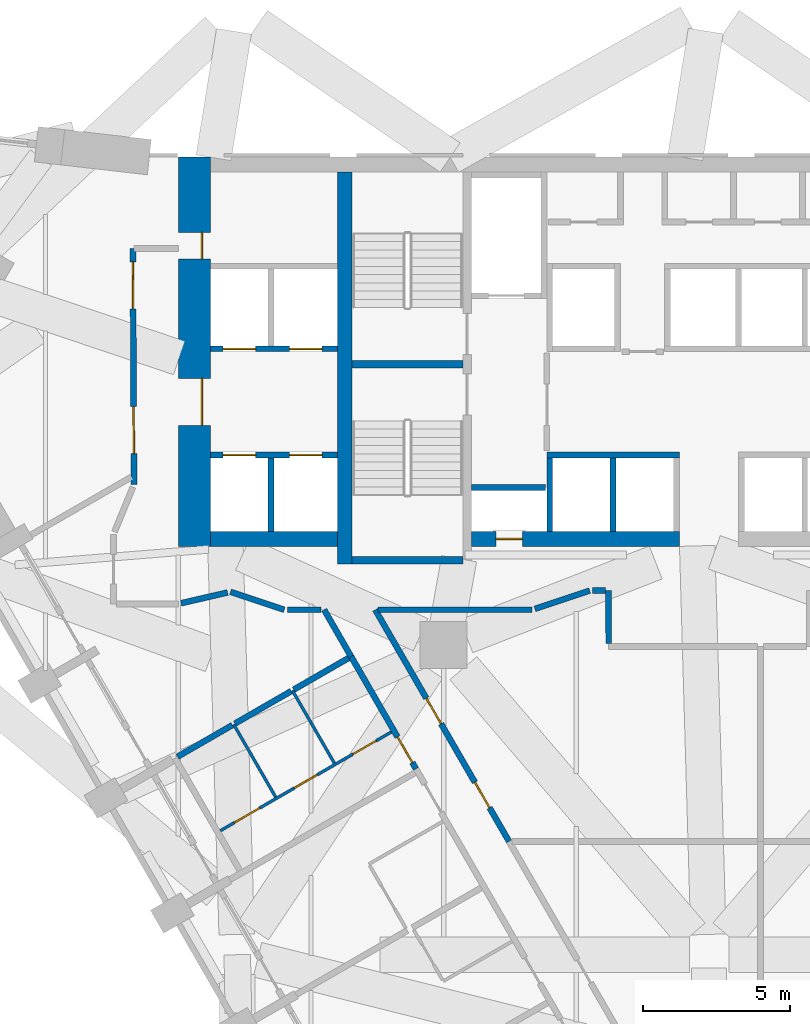
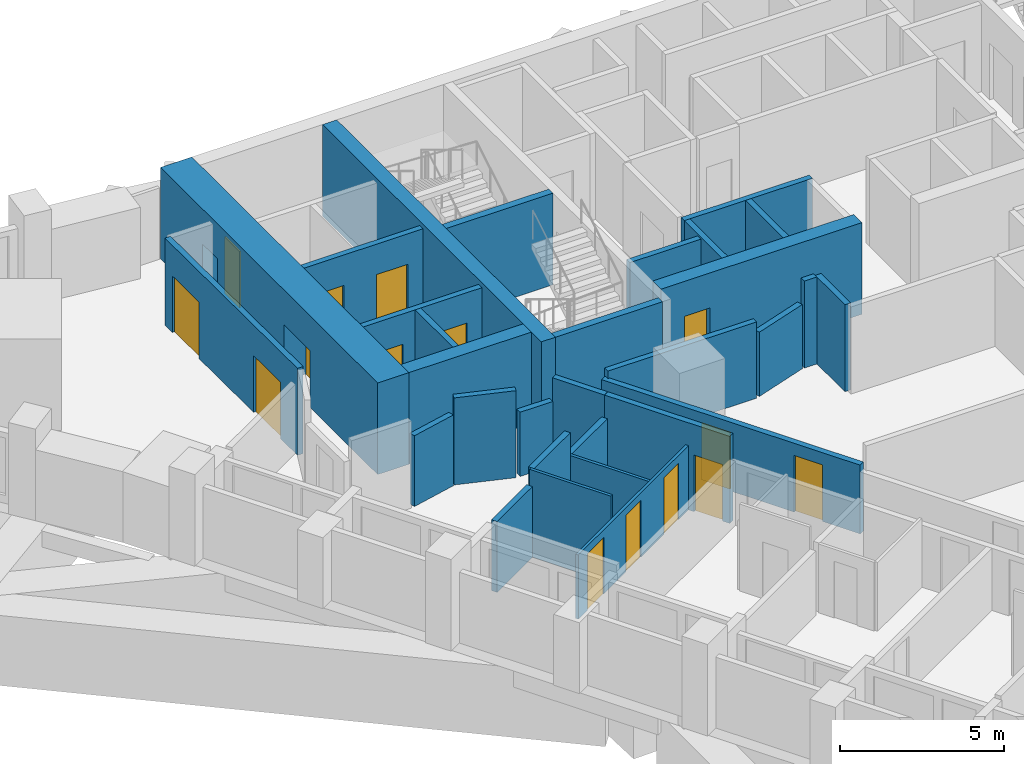
# One storey, part 7 of 12: 30 walls, 15 doors, 15 openings.
"""IFC4 building model written with IfcOpenShell, lengths in metres."""

from ifc_helpers import new_model, si_unit, direction, frame, frame_2d, origin, place, context, subcontext, project, spatial, rectangle, extrude, material, layer, layer_set, type_object, element, fill, save


model = new_model("IFC4")

# Units and contexts
model_context = context("Model", 3, precision=1e-05, world=origin(), true_north=direction((0.0, 1.0)))
body_context = subcontext(model_context, "Body", "Model", "MODEL_VIEW")
ifc_project = project(units=[si_unit("LENGTHUNIT", "METRE"), si_unit("AREAUNIT", "SQUARE_METRE"), si_unit("VOLUMEUNIT", "CUBIC_METRE"), si_unit("PLANEANGLEUNIT", "RADIAN"), si_unit("MASSUNIT", "GRAM", prefix="KILO")], contexts=[model_context])

# Site, building, storey
site_placement = place(None, origin())
site = spatial("IfcSite", under=ifc_project, at=site_placement, CompositionType="ELEMENT")
building_placement = place(site_placement, origin())
building = spatial("IfcBuilding", under=site, at=building_placement, Name="Calabash Gate Tower", CompositionType="ELEMENT")
storey_placement = place(building_placement, frame((0.0, 0.0, 46.0)))
storey = spatial("IfcBuildingStorey", under=building, at=storey_placement, Name="L06", CompositionType="ELEMENT", Elevation=46.0)

# Wall, openings, doors
ifc_material_1 = material(Name="Concrete C80/95", Category="concrete")
ifc_layer_1 = layer(ifc_material_1, 1.10009765625)
ifc_layer_set_1 = layer_set([ifc_layer_1], Name="Core wall 1100 Concrete C80/95")
wall_type_1 = type_object("IfcWallType", Name="Core wall 1100 Concrete C80/95", PredefinedType="SHEAR", material=ifc_layer_set_1)
wall_1_placement = place(storey_placement, frame((-17.449951171875, 5.8525390625, 0.0), z_axis=(0.0, 0.0, 1.0), x_axis=(0.0, 1.0, 0.0)))
wall_1 = element("IfcWall", 1, at=wall_1_placement, inside=storey, type_object=wall_type_1, Name="Core wall Z1-ENDW L06", PredefinedType="SHEAR", context=body_context, shape_type="SweptSolid", body=[
    extrude(rectangle(XDim=13.199951171875, YDim=1.10009765625, at=frame_2d((6.60009765625, 0.0))), origin(), (0.0, 0.0, 1.0), 3.39990234375),
])
opening_1_placement = place(wall_1_placement, frame((4.10009765625, 0.0, 0.0)))
opening_1 = element("IfcOpeningElement", 2, at=opening_1_placement, cuts=wall_1, Name="Opening H1-003", PredefinedType="OPENING", context=body_context, shape_type="SweptSolid", body=[
    extrude(rectangle(XDim=1.60009765625, YDim=2.10009765625, at=frame_2d((0.800048828125, 1.050048828125))), frame((0.0, 0.56005859375, 0.0), z_axis=(0.0, -1.0, 0.0), x_axis=(1.0, 0.0, 0.0)), (0.0, 0.0, 1.0), 1.1201171875),
])
opening_2_placement = place(wall_1_placement, frame((9.75, 0.0, 0.0)))
opening_2 = element("IfcOpeningElement", 3, at=opening_2_placement, cuts=wall_1, Name="Opening H1-004", PredefinedType="OPENING", context=body_context, shape_type="SweptSolid", body=[
    extrude(rectangle(XDim=0.89990234375, YDim=2.10009765625, at=frame_2d((0.449951171875, 1.050048828125))), frame((0.0, 0.56005859375, 0.0), z_axis=(0.0, -1.0, 0.0), x_axis=(1.0, 0.0, 0.0)), (0.0, 0.0, 1.0), 1.1201171875),
])
ifc_material_2 = material(Name="Steel fire door set with fire-resisting glazing", Category="steel")
door_type_1 = type_object("IfcDoorType", Name="Double fire door D08 1600x2100 FD60", OperationType="DOUBLE_DOOR_SINGLE_SWING", PredefinedType="DOOR", material=ifc_material_2)
door_1_placement = place(opening_1_placement, origin())
door_1 = element("IfcDoor", 4, at=door_1_placement, inside=storey, type_object=door_type_1, Name="Low-rise Lift Lobby W door", OperationType="DOUBLE_DOOR_SINGLE_SWING", OverallHeight=2.10009765625, OverallWidth=1.60009765625, PredefinedType="DOOR", context=body_context, shape_type="SweptSolid", body=[
    extrude(rectangle(XDim=1.60009765625, YDim=2.10009765625, at=frame_2d((0.800048828125, 1.050048828125))), frame((0.0, -0.22509765625, 0.0), z_axis=(0.0, -1.0, 0.0), x_axis=(1.0, 0.0, 0.0)), (0.0, 0.0, 1.0), 0.050048828125),
])
fill(opening_1, door_1)
ifc_material_3 = material(Name="Steel fire door set with fire-resisting glazing", Category="steel")
door_type_2 = type_object("IfcDoorType", Name="Fire door D06 900x2100 FD60", OperationType="NOTDEFINED", PredefinedType="DOOR", material=ifc_material_3)
door_2_placement = place(opening_2_placement, origin())
door_2 = element("IfcDoor", 5, at=door_2_placement, inside=storey, type_object=door_type_2, Name="Cleaner's Store door", OperationType="SINGLE_SWING_RIGHT", OverallHeight=2.10009765625, OverallWidth=0.89990234375, PredefinedType="DOOR", context=body_context, shape_type="SweptSolid", body=[
    extrude(rectangle(XDim=0.89990234375, YDim=2.10009765625, at=frame_2d((0.449951171875, 1.050048828125))), frame((0.0, -0.22509765625, 0.0), z_axis=(0.0, -1.0, 0.0), x_axis=(1.0, 0.0, 0.0)), (0.0, 0.0, 1.0), 0.050048828125),
])
fill(opening_2, door_2)

# Walls
ifc_material_4 = material(Name="Concrete C80/95", Category="concrete")
ifc_layer_2 = layer(ifc_material_4, 0.25)
ifc_layer_set_2 = layer_set([ifc_layer_2], Name="Core wall 250 Concrete C80/95")
wall_type_2 = type_object("IfcWallType", Name="Core wall 250 Concrete C80/95", PredefinedType="SHEAR", material=ifc_layer_set_2)
for number, where, z_axis, x_axis, name in (
    (6, (-12.10009765625, 12.027587890625, 0.0), (0.0, 0.0, 1.0), (1.0, 0.0, 0.0), "Core wall Z1-MIDW L06"),
    (7, (-12.10009765625, 5.377685546875, 0.0), (0.0, 0.0, 1.0), (1.0, 0.0, 0.0), "Core wall Z1-SSW L06"),
):
    element("IfcWall", number, at=place(storey_placement, frame(where, z_axis=z_axis, x_axis=x_axis)), inside=storey, type_object=wall_type_2, Name=name, PredefinedType="SHEAR", context=body_context, shape_type="SweptSolid", body=[
        extrude(rectangle(XDim=3.75, YDim=0.25, at=frame_2d((1.875, 0.0))), origin(), (0.0, 0.0, 1.0), 3.39990234375),
    ])
ifc_material_5 = material(Name="Concrete C80/95", Category="concrete")
ifc_layer_3 = layer(ifc_material_5, 0.5)
ifc_layer_set_3 = layer_set([ifc_layer_3], Name="Core wall 500 Concrete C80/95")
wall_type_3 = type_object("IfcWallType", Name="Core wall 500 Concrete C80/95", PredefinedType="SHEAR", material=ifc_layer_set_3)
wall_2_placement = place(storey_placement, frame((-12.35009765625, 5.252685546875, 0.0), z_axis=(0.0, 0.0, 1.0), x_axis=(0.0, 1.0, 0.0)))
element("IfcWall", 8, at=wall_2_placement, inside=storey, type_object=wall_type_3, Name="Core wall Z1-COLW L06", PredefinedType="SHEAR", context=body_context, shape_type="SweptSolid", body=[
    extrude(rectangle(XDim=13.2998046875, YDim=0.5, at=frame_2d((6.64990234375, 0.0))), origin(), (0.0, 0.0, 1.0), 3.39990234375),
])

# Wall, opening, door
wall_3_placement = place(storey_placement, frame((-8.050048828125, 6.1025390625, 0.0), z_axis=(0.0, 0.0, 1.0), x_axis=(1.0, 0.0, 0.0)))
wall_3 = element("IfcWall", 9, at=wall_3_placement, inside=storey, type_object=wall_type_3, Name="Core wall Z1-SA L06", PredefinedType="SHEAR", context=body_context, shape_type="SweptSolid", body=[
    extrude(rectangle(XDim=7.050048828125, YDim=0.5, at=frame_2d((3.52490234375, 0.0))), origin(), (0.0, 0.0, 1.0), 3.39990234375),
])
opening_3_placement = place(wall_3_placement, frame((0.824951171875, 0.0, 0.0)))
opening_3 = element("IfcOpeningElement", 10, at=opening_3_placement, cuts=wall_3, Name="Opening H1-013", PredefinedType="OPENING", context=body_context, shape_type="SweptSolid", body=[
    extrude(rectangle(XDim=0.89990234375, YDim=2.10009765625, at=frame_2d((0.449951171875, 1.050048828125))), frame((0.0, 0.260009765625, 0.0), z_axis=(0.0, -1.0, 0.0), x_axis=(1.0, 0.0, 0.0)), (0.0, 0.0, 1.0), 0.52001953125),
])
ifc_material_6 = material(Name="Steel fire door set with fire-resisting glazing", Category="steel")
door_type_3 = type_object("IfcDoorType", Name="Fire door D07 900x2100 FD90", OperationType="NOTDEFINED", PredefinedType="DOOR", material=ifc_material_6)
door_3_placement = place(opening_3_placement, origin())
door_3 = element("IfcDoor", 11, at=door_3_placement, inside=storey, type_object=door_type_3, Name="Electrical Riser W door", OperationType="SINGLE_SWING_LEFT", OverallHeight=2.10009765625, OverallWidth=0.89990234375, PredefinedType="DOOR", context=body_context, shape_type="SweptSolid", body=[
    extrude(rectangle(XDim=0.89990234375, YDim=2.10009765625, at=frame_2d((0.449951171875, 1.050048828125))), frame((0.0, 0.02490234375, 0.0), z_axis=(0.0, -1.0, 0.0), x_axis=(1.0, 0.0, 0.0)), (0.0, 0.0, 1.0), 0.050048828125),
])
fill(opening_3, door_3)

# Wall
wall_4_placement = place(storey_placement, frame((-12.60009765625, 6.1025390625, 0.0), z_axis=(0.0, 0.0, 1.0), x_axis=(-1.0, 0.0, 0.0)))
element("IfcWall", 12, at=wall_4_placement, inside=storey, type_object=wall_type_3, Name="Core wall Z1-SW L06", PredefinedType="SHEAR", context=body_context, shape_type="SweptSolid", body=[
    extrude(rectangle(XDim=4.2998046875, YDim=0.5, at=frame_2d((2.14990234375, 0.0))), origin(), (0.0, 0.0, 1.0), 3.39990234375),
])

# Wall, openings, doors
ifc_material_7 = material(Name="Gypsum board on steel studs, mineral wool", Category="steel")
ifc_layer_4 = layer(ifc_material_7, 0.10009765625)
ifc_layer_set_4 = layer_set([ifc_layer_4], Name="Partition 100 gypsum board")
wall_type_4 = type_object("IfcWallType", Name="Partition 100 gypsum board", PredefinedType="PARTITIONING", material=ifc_layer_set_4)
wall_5_placement = place(storey_placement, frame((-16.57373046875, -3.79541015625, 0.0), z_axis=(0.0, 0.0, 1.0), x_axis=(0.866015588977, 0.500016999361, 0.0)))
wall_5 = element("IfcWall", 13, at=wall_5_placement, inside=storey, type_object=wall_type_4, Name="Partition", PredefinedType="PARTITIONING", context=body_context, shape_type="SweptSolid", body=[
    extrude(rectangle(XDim=6.696533203125, YDim=0.10009765625, at=frame_2d((3.34814453125, 0.0))), origin(), (0.0, 0.0, 1.0), 2.384033203125),
])
opening_4_placement = place(wall_5_placement, frame((5.1982421875, 0.0, 0.0)))
opening_4 = element("IfcOpeningElement", 14, at=opening_4_placement, cuts=wall_5, Name="Opening 06-08-021", PredefinedType="OPENING", context=body_context, shape_type="SweptSolid", body=[
    extrude(rectangle(XDim=0.89990234375, YDim=2.10009765625, at=frame_2d((0.449951171875, 1.050048828125))), frame((0.0, 0.06005859375, 0.0), z_axis=(0.0, -1.0, 0.0), x_axis=(1.0, 0.0, 0.0)), (0.0, 0.0, 1.0), 0.1201171875),
])
opening_5_placement = place(wall_5_placement, frame((2.898193359375, 0.0, 0.0)))
opening_5 = element("IfcOpeningElement", 15, at=opening_5_placement, cuts=wall_5, Name="Opening 06-08-022", PredefinedType="OPENING", context=body_context, shape_type="SweptSolid", body=[
    extrude(rectangle(XDim=0.89990234375, YDim=2.10009765625, at=frame_2d((0.449951171875, 1.050048828125))), frame((0.0, 0.06005859375, 0.0), z_axis=(0.0, -1.0, 0.0), x_axis=(1.0, 0.0, 0.0)), (0.0, 0.0, 1.0), 0.1201171875),
])
opening_6_placement = place(wall_5_placement, frame((0.548095703125, 0.0, 0.0)))
opening_6 = element("IfcOpeningElement", 16, at=opening_6_placement, cuts=wall_5, Name="Opening 06-08-023", PredefinedType="OPENING", context=body_context, shape_type="SweptSolid", body=[
    extrude(rectangle(XDim=1.0, YDim=2.10009765625, at=frame_2d((0.5, 1.050048828125))), frame((0.0, 0.06005859375, 0.0), z_axis=(0.0, -1.0, 0.0), x_axis=(1.0, 0.0, 0.0)), (0.0, 0.0, 1.0), 0.1201171875),
])
ifc_material_8 = material(Name="Painted timber door", Category="wood")
door_type_4 = type_object("IfcDoorType", Name="WD1 WC door 900x2100", OperationType="NOTDEFINED", PredefinedType="DOOR", material=ifc_material_8)
door_4_placement = place(opening_4_placement, origin())
door_4 = element("IfcDoor", 17, at=door_4_placement, inside=storey, type_object=door_type_4, Name="WC door", OperationType="SINGLE_SWING_RIGHT", OverallHeight=2.10009765625, OverallWidth=0.89990234375, PredefinedType="DOOR", context=body_context, shape_type="SweptSolid", body=[
    extrude(rectangle(XDim=0.89990234375, YDim=2.10009765625, at=frame_2d((0.449951171875, 1.050048828125))), frame((0.0, 0.02490234375, 0.0), z_axis=(0.0, -1.0, 0.0), x_axis=(1.0, 0.0, 0.0)), (0.0, 0.0, 1.0), 0.050048828125),
])
fill(opening_4, door_4)
door_5_placement = place(opening_5_placement, origin())
door_5 = element("IfcDoor", 18, at=door_5_placement, inside=storey, type_object=door_type_4, Name="WC door", OperationType="SINGLE_SWING_RIGHT", OverallHeight=2.10009765625, OverallWidth=0.89990234375, PredefinedType="DOOR", context=body_context, shape_type="SweptSolid", body=[
    extrude(rectangle(XDim=0.89990234375, YDim=2.10009765625, at=frame_2d((0.449951171875, 1.050048828125))), frame((0.0, 0.02490234375, 0.0), z_axis=(0.0, -1.0, 0.0), x_axis=(1.0, 0.0, 0.0)), (0.0, 0.0, 1.0), 0.050048828125),
])
fill(opening_5, door_5)
ifc_material_9 = material(Name="Painted timber door", Category="wood")
door_type_5 = type_object("IfcDoorType", Name="WD2 Accessible WC door 1000x2100", OperationType="NOTDEFINED", PredefinedType="DOOR", material=ifc_material_9)
door_6_placement = place(opening_6_placement, origin())
door_6 = element("IfcDoor", 19, at=door_6_placement, inside=storey, type_object=door_type_5, Name="Accessible WC door", OperationType="SINGLE_SWING_LEFT", OverallHeight=2.10009765625, OverallWidth=1.0, PredefinedType="DOOR", context=body_context, shape_type="SweptSolid", body=[
    extrude(rectangle(XDim=1.0, YDim=2.10009765625, at=frame_2d((0.5, 1.050048828125))), frame((0.0, 0.02490234375, 0.0), z_axis=(0.0, -1.0, 0.0), x_axis=(1.0, 0.0, 0.0)), (0.0, 0.0, 1.0), 0.050048828125),
])
fill(opening_6, door_6)

# Walls
wall_6_placement = place(storey_placement, frame((-16.121826171875, -0.185302734375, 0.0), z_axis=(0.0, 0.0, 1.0), x_axis=(0.500026428979, -0.866010144469, 0.0)))
element("IfcWall", 20, at=wall_6_placement, inside=storey, type_object=wall_type_4, Name="Partition", PredefinedType="PARTITIONING", context=body_context, shape_type="SweptSolid", body=[
    extrude(rectangle(XDim=2.850341796875, YDim=0.10009765625, at=frame_2d((1.42529296875, 0.0))), origin(), (0.0, 0.0, 1.0), 3.22998046875),
])
wall_7_placement = place(storey_placement, frame((-14.1298828125, 0.964599609375, 0.0), z_axis=(0.0, 0.0, 1.0), x_axis=(0.499962189394, -0.866047232647, 0.0)))
element("IfcWall", 21, at=wall_7_placement, inside=storey, type_object=wall_type_4, Name="Partition", PredefinedType="PARTITIONING", context=body_context, shape_type="SweptSolid", body=[
    extrude(rectangle(XDim=2.850341796875, YDim=0.10009765625, at=frame_2d((1.42529296875, 0.0))), origin(), (0.0, 0.0, 1.0), 2.384033203125),
])

# Wall, opening, door
ifc_material_10 = material(Name="Gypsum board on steel studs, mineral wool", Category="steel")
ifc_layer_5 = layer(ifc_material_10, 0.199951171875)
ifc_layer_set_5 = layer_set([ifc_layer_5], Name="Partition 200 gypsum board EI 60")
wall_type_5 = type_object("IfcWallType", Name="Partition 200 gypsum board EI 60", PredefinedType="PARTITIONING", material=ifc_layer_set_5)
wall_8_placement = place(storey_placement, frame((-12.13720703125, 2.113037109375, 0.0), z_axis=(0.0, 0.0, 1.0), x_axis=(0.500025132165, -0.866010893236, 0.0)))
wall_8 = element("IfcWall", 22, at=wall_8_placement, inside=storey, type_object=wall_type_5, Name="Partition", PredefinedType="PARTITIONING", context=body_context, shape_type="SweptSolid", body=[
    extrude(rectangle(XDim=4.398681640625, YDim=0.199951171875, at=frame_2d((2.19921875, 0.0))), origin(), (0.0, 0.0, 1.0), 3.22998046875),
])
opening_7_placement = place(wall_8_placement, frame((3.150390625, 0.0, 0.0)))
opening_7 = element("IfcOpeningElement", 23, at=opening_7_placement, cuts=wall_8, Name="Opening 06-08-020", PredefinedType="OPENING", context=body_context, shape_type="SweptSolid", body=[
    extrude(rectangle(XDim=1.0, YDim=2.10009765625, at=frame_2d((0.5, 1.050048828125))), frame((0.0, 0.10986328125, 0.0), z_axis=(0.0, -1.0, 0.0), x_axis=(1.0, 0.0, 0.0)), (0.0, 0.0, 1.0), 0.219970703125),
])
ifc_material_11 = material(Name="Steel fire door set with fire-resisting glazing", Category="steel")
door_type_6 = type_object("IfcDoorType", Name="WD3 WC lobby door 1000x2100", OperationType="NOTDEFINED", PredefinedType="DOOR", material=ifc_material_11)
door_7_placement = place(opening_7_placement, origin())
door_7 = element("IfcDoor", 24, at=door_7_placement, inside=storey, type_object=door_type_6, Name="WC lobby door", OperationType="SINGLE_SWING_LEFT", OverallHeight=2.10009765625, OverallWidth=1.0, PredefinedType="DOOR", context=body_context, shape_type="SweptSolid", body=[
    extrude(rectangle(XDim=1.0, YDim=2.10009765625, at=frame_2d((0.5, 1.050048828125))), frame((0.0, 0.02490234375, 0.0), z_axis=(0.0, -1.0, 0.0), x_axis=(1.0, 0.0, 0.0)), (0.0, 0.0, 1.0), 0.050048828125),
])
fill(opening_7, door_7)

# Walls
wall_9_placement = place(storey_placement, frame((-18.025146484375, -1.284423828125, 0.0), z_axis=(0.0, 0.0, 1.0), x_axis=(0.866399153158, 0.499352087617, 0.0)))
element("IfcWall", 25, at=wall_9_placement, inside=storey, type_object=wall_type_5, Name="Partition", PredefinedType="PARTITIONING", context=body_context, shape_type="SweptSolid", body=[
    extrude(rectangle(XDim=2.149658203125, YDim=0.199951171875, at=frame_2d((1.07470703125, 0.0))), origin(), (0.0, 0.0, 1.0), 2.6279296875),
])
wall_10_placement = place(storey_placement, frame((-16.07666015625, -0.159423828125, 0.0), z_axis=(0.0, 0.0, 1.0), x_axis=(0.866399851823, 0.499350875398, 0.0)))
element("IfcWall", 26, at=wall_10_placement, inside=storey, type_object=wall_type_5, Name="Partition", PredefinedType="PARTITIONING", context=body_context, shape_type="SweptSolid", body=[
    extrude(rectangle(XDim=2.19970703125, YDim=0.199951171875, at=frame_2d((1.099853515625, 0.0))), origin(), (0.0, 0.0, 1.0), 3.22998046875),
])
wall_11_placement = place(storey_placement, frame((-14.084716796875, 0.990478515625, 0.0), z_axis=(0.0, 0.0, 1.0), x_axis=(0.866397457795, 0.499355029139, 0.0)))
element("IfcWall", 27, at=wall_11_placement, inside=storey, type_object=wall_type_5, Name="Partition", PredefinedType="PARTITIONING", context=body_context, shape_type="SweptSolid", body=[
    extrude(rectangle(XDim=2.147705078125, YDim=0.199951171875, at=frame_2d((1.07373046875, 0.0))), origin(), (0.0, 0.0, 1.0), 2.384033203125),
])
wall_12_placement = place(storey_placement, frame((-3.402099609375, 4.3505859375, 0.0), z_axis=(0.0, 0.0, 1.0), x_axis=(0.001086217961, -0.999999410065, 0.0)))
element("IfcWall", 28, at=wall_12_placement, inside=storey, type_object=wall_type_5, Name="Partition", PredefinedType="PARTITIONING", context=body_context, shape_type="SweptSolid", body=[
    extrude(rectangle(XDim=1.798095703125, YDim=0.199951171875, at=frame_2d((0.89892578125, 0.0))), origin(), (0.0, 0.0, 1.0), 3.22998046875),
])
wall_13_placement = place(storey_placement, frame((-14.300048828125, 3.699462890625, 0.0), z_axis=(0.0, 0.0, 1.0), x_axis=(1.0, 0.0, 0.0)))
element("IfcWall", 29, at=wall_13_placement, inside=storey, type_object=wall_type_5, Name="Partition", PredefinedType="PARTITIONING", context=body_context, shape_type="SweptSolid", body=[
    extrude(rectangle(XDim=1.148681640625, YDim=0.199951171875, at=frame_2d((0.57421875, 0.0))), origin(), (0.0, 0.0, 1.0), 2.384033203125),
])
wall_14_placement = place(storey_placement, frame((-13.051513671875, 3.699462890625, 0.0), z_axis=(0.0, 0.0, 1.0), x_axis=(0.499341081767, -0.866405496324, 0.0)))
element("IfcWall", 30, at=wall_14_placement, inside=storey, type_object=wall_type_5, Name="Partition", PredefinedType="PARTITIONING", context=body_context, shape_type="SweptSolid", body=[
    extrude(rectangle(XDim=1.8291015625, YDim=0.199951171875, at=frame_2d((0.91455078125, 0.0))), origin(), (0.0, 0.0, 1.0), 3.22998046875),
])

# Wall, openings, doors
wall_15_placement = place(storey_placement, frame((-11.318603515625, 3.69970703125, 0.0), z_axis=(0.0, 0.0, 1.0), x_axis=(0.500165052219, -0.865930089868, 0.0)))
wall_15 = element("IfcWall", 31, at=wall_15_placement, inside=storey, type_object=wall_type_5, Name="Partition", PredefinedType="PARTITIONING", context=body_context, shape_type="SweptSolid", body=[
    extrude(rectangle(XDim=9.07177734375, YDim=0.199951171875, at=frame_2d((4.535888671875, 0.0))), origin(), (0.0, 0.0, 1.0), 2.552001953125),
])
opening_8_placement = place(wall_15_placement, frame((6.75830078125, 0.0, 0.0)))
opening_8 = element("IfcOpeningElement", 32, at=opening_8_placement, cuts=wall_15, Name="Opening 06-08-014", PredefinedType="OPENING", context=body_context, shape_type="SweptSolid", body=[
    extrude(rectangle(XDim=1.0, YDim=2.10009765625, at=frame_2d((0.5, 1.050048828125))), frame((0.0, 0.10986328125, 0.0), z_axis=(0.0, -1.0, 0.0), x_axis=(1.0, 0.0, 0.0)), (0.0, 0.0, 1.0), 0.219970703125),
])
opening_9_placement = place(wall_15_placement, frame((3.4658203125, 0.0, 0.0)))
opening_9 = element("IfcOpeningElement", 33, at=opening_9_placement, cuts=wall_15, Name="Opening 06-08-030", PredefinedType="OPENING", context=body_context, shape_type="SweptSolid", body=[
    extrude(rectangle(XDim=1.0, YDim=2.10009765625, at=frame_2d((0.5, 1.050048828125))), frame((0.0, 0.10986328125, 0.0), z_axis=(0.0, -1.0, 0.0), x_axis=(1.0, 0.0, 0.0)), (0.0, 0.0, 1.0), 0.219970703125),
])
ifc_material_12 = material(Name="Steel fire door set with fire-resisting glazing", Category="steel")
door_type_7 = type_object("IfcDoorType", Name="LD2 Meeting room door 1000x2100", OperationType="NOTDEFINED", PredefinedType="DOOR", material=ifc_material_12)
door_8_placement = place(opening_8_placement, origin())
door_8 = element("IfcDoor", 34, at=door_8_placement, inside=storey, type_object=door_type_7, Name="Meeting room door", OperationType="SINGLE_SWING_RIGHT", OverallHeight=2.10009765625, OverallWidth=1.0, PredefinedType="DOOR", context=body_context, shape_type="SweptSolid", body=[
    extrude(rectangle(XDim=1.0, YDim=2.10009765625, at=frame_2d((0.5, 1.050048828125))), frame((0.0, 0.02490234375, 0.0), z_axis=(0.0, -1.0, 0.0), x_axis=(1.0, 0.0, 0.0)), (0.0, 0.0, 1.0), 0.050048828125),
])
fill(opening_8, door_8)
door_9_placement = place(opening_9_placement, origin())
door_9 = element("IfcDoor", 35, at=door_9_placement, inside=storey, type_object=door_type_7, Name="Meeting room door", OperationType="SINGLE_SWING_LEFT", OverallHeight=2.10009765625, OverallWidth=1.0, PredefinedType="DOOR", context=body_context, shape_type="SweptSolid", body=[
    extrude(rectangle(XDim=1.0, YDim=2.10009765625, at=frame_2d((0.5, 1.050048828125))), frame((0.0, 0.02490234375, 0.0), z_axis=(0.0, -1.0, 0.0), x_axis=(1.0, 0.0, 0.0)), (0.0, 0.0, 1.0), 0.050048828125),
])
fill(opening_9, door_9)

# Walls
wall_16_placement = place(storey_placement, frame((-11.21875, 3.69970703125, 0.0), z_axis=(0.0, 0.0, 1.0), x_axis=(1.0, 0.0, 0.0)))
element("IfcWall", 36, at=wall_16_placement, inside=storey, type_object=wall_type_5, Name="Partition", PredefinedType="PARTITIONING", context=body_context, shape_type="SweptSolid", body=[
    extrude(rectangle(XDim=5.21875, YDim=0.199951171875, at=frame_2d((2.609375, 0.0))), origin(), (0.0, 0.0, 1.0), 2.83154296875),
])
wall_17_placement = place(storey_placement, frame((-17.902587890625, 3.922119140625, 0.0), z_axis=(0.0, 0.0, 1.0), x_axis=(0.974302124523, 0.225245133464, 0.0)))
element("IfcWall", 37, at=wall_17_placement, inside=storey, type_object=wall_type_5, Name="Partition", PredefinedType="PARTITIONING", context=body_context, shape_type="SweptSolid", body=[
    extrude(rectangle(XDim=1.6181640625, YDim=0.199951171875, at=frame_2d((0.80908203125, 0.0))), origin(), (0.0, 0.0, 1.0), 2.6279296875),
])
wall_18_placement = place(storey_placement, frame((-16.228515625, 4.30908203125, 0.0), z_axis=(0.0, 0.0, 1.0), x_axis=(0.948657960303, -0.316303769112, 0.0)))
element("IfcWall", 38, at=wall_18_placement, inside=storey, type_object=wall_type_5, Name="Partition", PredefinedType="PARTITIONING", context=body_context, shape_type="SweptSolid", body=[
    extrude(rectangle(XDim=1.92724609375, YDim=0.199951171875, at=frame_2d((0.963623046875, 0.0))), origin(), (0.0, 0.0, 1.0), 3.22998046875),
])
wall_19_placement = place(storey_placement, frame((-5.905029296875, 3.7314453125, 0.0), z_axis=(0.0, 0.0, 1.0), x_axis=(0.948695731075, 0.316190464499, 0.0)))
element("IfcWall", 39, at=wall_19_placement, inside=storey, type_object=wall_type_5, Name="Partition", PredefinedType="PARTITIONING", context=body_context, shape_type="SweptSolid", body=[
    extrude(rectangle(XDim=1.963623046875, YDim=0.199951171875, at=frame_2d((0.98193359375, 0.0))), origin(), (0.0, 0.0, 1.0), 2.384033203125),
])
wall_20_placement = place(storey_placement, frame((-3.9423828125, 4.35205078125, 0.0), z_axis=(0.0, 0.0, 1.0), x_axis=(0.999996159087, -0.00277160798, 0.0)))
element("IfcWall", 40, at=wall_20_placement, inside=storey, type_object=wall_type_5, Name="Partition", PredefinedType="PARTITIONING", context=body_context, shape_type="SweptSolid", body=[
    extrude(rectangle(XDim=0.4404296875, YDim=0.199951171875, at=frame_2d((0.22021484375, 0.0))), origin(), (0.0, 0.0, 1.0), 3.22998046875),
])

# Wall, openings, doors
wall_21_placement = place(storey_placement, frame((-19.540283203125, 15.952392578125, 0.0), z_axis=(0.0, 0.0, 1.0), x_axis=(0.004974455496, -0.99998762732, 0.0)))
wall_21 = element("IfcWall", 41, at=wall_21_placement, inside=storey, type_object=wall_type_5, Name="Partition", PredefinedType="PARTITIONING", context=body_context, shape_type="SweptSolid", body=[
    extrude(rectangle(XDim=7.999755859375, YDim=0.199951171875, at=frame_2d((4.0, 0.0))), origin(), (0.0, 0.0, 1.0), 3.22998046875),
])
opening_10_placement = place(wall_21_placement, frame((5.359130859375, 0.0, 0.0)))
opening_10 = element("IfcOpeningElement", 42, at=opening_10_placement, cuts=wall_21, Name="Opening 06-08-024", PredefinedType="OPENING", context=body_context, shape_type="SweptSolid", body=[
    extrude(rectangle(XDim=1.60009765625, YDim=2.10009765625, at=frame_2d((0.800048828125, 1.050048828125))), frame((0.0, 0.10986328125, 0.0), z_axis=(0.0, -1.0, 0.0), x_axis=(1.0, 0.0, 0.0)), (0.0, 0.0, 1.0), 0.219970703125),
])
opening_11_placement = place(wall_21_placement, frame((0.4501953125, 0.0, 0.0)))
opening_11 = element("IfcOpeningElement", 43, at=opening_11_placement, cuts=wall_21, Name="Opening 06-08-025", PredefinedType="OPENING", context=body_context, shape_type="SweptSolid", body=[
    extrude(rectangle(XDim=1.60009765625, YDim=2.10009765625, at=frame_2d((0.800048828125, 1.050048828125))), frame((0.0, 0.10986328125, 0.0), z_axis=(0.0, -1.0, 0.0), x_axis=(1.0, 0.0, 0.0)), (0.0, 0.0, 1.0), 0.219970703125),
])
ifc_material_13 = material(Name="Steel fire door set with fire-resisting glazing", Category="steel")
door_type_8 = type_object("IfcDoorType", Name="LD1 Lounge double door 1600x2100", OperationType="NOTDEFINED", PredefinedType="DOOR", material=ifc_material_13)
door_10_placement = place(opening_10_placement, origin())
door_10 = element("IfcDoor", 44, at=door_10_placement, inside=storey, type_object=door_type_8, Name="Lounge double door", OperationType="DOUBLE_DOOR_SINGLE_SWING", OverallHeight=2.10009765625, OverallWidth=1.60009765625, PredefinedType="DOOR", context=body_context, shape_type="SweptSolid", body=[
    extrude(rectangle(XDim=1.60009765625, YDim=2.10009765625, at=frame_2d((0.800048828125, 1.050048828125))), frame((0.0, 0.02490234375, 0.0), z_axis=(0.0, -1.0, 0.0), x_axis=(1.0, 0.0, 0.0)), (0.0, 0.0, 1.0), 0.050048828125),
])
fill(opening_10, door_10)
door_11_placement = place(opening_11_placement, origin())
door_11 = element("IfcDoor", 45, at=door_11_placement, inside=storey, type_object=door_type_8, Name="Lounge double door", OperationType="DOUBLE_DOOR_SINGLE_SWING", OverallHeight=2.10009765625, OverallWidth=1.60009765625, PredefinedType="DOOR", context=body_context, shape_type="SweptSolid", body=[
    extrude(rectangle(XDim=1.60009765625, YDim=2.10009765625, at=frame_2d((0.800048828125, 1.050048828125))), frame((0.0, 0.02490234375, 0.0), z_axis=(0.0, -1.0, 0.0), x_axis=(1.0, 0.0, 0.0)), (0.0, 0.0, 1.0), 0.050048828125),
])
fill(opening_11, door_11)

# Walls
ifc_material_14 = material(Name="Concrete C40/50", Category="concrete")
ifc_layer_6 = layer(ifc_material_14, 0.199951171875)
ifc_layer_set_6 = layer_set([ifc_layer_6], Name="Shaft wall 200 Concrete C40/50")
wall_type_6 = type_object("IfcWallType", Name="Shaft wall 200 Concrete C40/50", PredefinedType="SOLIDWALL", material=ifc_layer_set_6)
for number, where, z_axis, x_axis, name in (
    (46, (-14.85009765625, 6.3525390625, 0.0), (0.0, 0.0, 1.0), (0.0, 1.0, 0.0), "Shaft wall"),
    (47, (-5.39990234375, 6.3525390625, 0.0), (0.0, 0.0, 1.0), (0.0, 1.0, 0.0), "Shaft wall"),
    (48, (-3.25, 6.3525390625, 0.0), (0.0, 0.0, 1.0), (0.0, 1.0, 0.0), "Shaft wall"),
    (49, (-8.050048828125, 7.8525390625, 0.0), (0.0, 0.0, 1.0), (1.0, 0.0, 0.0), "Shaft wall"),
):
    element("IfcWall", number, at=place(storey_placement, frame(where, z_axis=z_axis, x_axis=x_axis)), inside=storey, type_object=wall_type_6, Name=name, PredefinedType="SOLIDWALL", context=body_context, shape_type="SweptSolid", body=[
        extrude(rectangle(XDim=2.5, YDim=0.199951171875, at=frame_2d((1.25, 0.0))), origin(), (0.0, 0.0, 1.0), 3.22998046875),
    ])

# Wall, openings, doors
wall_22_placement = place(storey_placement, frame((-16.89990234375, 8.95263671875, 0.0), z_axis=(0.0, 0.0, 1.0), x_axis=(1.0, 0.0, 0.0)))
wall_22 = element("IfcWall", 50, at=wall_22_placement, inside=storey, type_object=wall_type_6, Name="Shaft wall", PredefinedType="SOLIDWALL", context=body_context, shape_type="SweptSolid", body=[
    extrude(rectangle(XDim=4.2998046875, YDim=0.199951171875, at=frame_2d((2.14990234375, 0.0))), origin(), (0.0, 0.0, 1.0), 3.22998046875),
])
opening_12_placement = place(wall_22_placement, frame((2.675048828125, 0.0, 0.0)))
opening_12 = element("IfcOpeningElement", 51, at=opening_12_placement, cuts=wall_22, Name="Opening LD-LR1", PredefinedType="OPENING", context=body_context, shape_type="SweptSolid", body=[
    extrude(rectangle(XDim=1.10009765625, YDim=2.10009765625, at=frame_2d((0.550048828125, 1.050048828125))), frame((0.0, 0.10986328125, 0.0), z_axis=(0.0, -1.0, 0.0), x_axis=(1.0, 0.0, 0.0)), (0.0, 0.0, 1.0), 0.219970703125),
])
opening_13_placement = place(wall_22_placement, frame((0.425048828125, 0.0, 0.0)))
opening_13 = element("IfcOpeningElement", 52, at=opening_13_placement, cuts=wall_22, Name="Opening LD-LR2", PredefinedType="OPENING", context=body_context, shape_type="SweptSolid", body=[
    extrude(rectangle(XDim=1.10009765625, YDim=2.10009765625, at=frame_2d((0.550048828125, 1.050048828125))), frame((0.0, 0.10986328125, 0.0), z_axis=(0.0, -1.0, 0.0), x_axis=(1.0, 0.0, 0.0)), (0.0, 0.0, 1.0), 0.219970703125),
])
ifc_material_15 = material(Name="Stainless steel sliding door leaves", Category="steel")
door_type_9 = type_object("IfcDoorType", Name="Lift landing door LS1 1100x2100 FD90", OperationType="DOUBLE_DOOR_SLIDING", PredefinedType="DOOR", material=ifc_material_15)
door_12_placement = place(opening_12_placement, origin())
door_12 = element("IfcDoor", 53, at=door_12_placement, inside=storey, type_object=door_type_9, Name="Lift landing door LR1", OperationType="DOUBLE_DOOR_SLIDING", OverallHeight=2.10009765625, OverallWidth=1.10009765625, PredefinedType="DOOR", context=body_context, shape_type="SweptSolid", body=[
    extrude(rectangle(XDim=1.10009765625, YDim=2.10009765625, at=frame_2d((0.550048828125, 1.050048828125))), frame((0.0, 0.02490234375, 0.0), z_axis=(0.0, -1.0, 0.0), x_axis=(1.0, 0.0, 0.0)), (0.0, 0.0, 1.0), 0.050048828125),
])
fill(opening_12, door_12)
door_13_placement = place(opening_13_placement, origin())
door_13 = element("IfcDoor", 54, at=door_13_placement, inside=storey, type_object=door_type_9, Name="Lift landing door LR2", OperationType="DOUBLE_DOOR_SLIDING", OverallHeight=2.10009765625, OverallWidth=1.10009765625, PredefinedType="DOOR", context=body_context, shape_type="SweptSolid", body=[
    extrude(rectangle(XDim=1.10009765625, YDim=2.10009765625, at=frame_2d((0.550048828125, 1.050048828125))), frame((0.0, 0.02490234375, 0.0), z_axis=(0.0, -1.0, 0.0), x_axis=(1.0, 0.0, 0.0)), (0.0, 0.0, 1.0), 0.050048828125),
])
fill(opening_13, door_13)

# Wall
wall_23_placement = place(storey_placement, frame((-5.5, 8.95263671875, 0.0), z_axis=(0.0, 0.0, 1.0), x_axis=(1.0, 0.0, 0.0)))
element("IfcWall", 55, at=wall_23_placement, inside=storey, type_object=wall_type_6, Name="Shaft wall", PredefinedType="SOLIDWALL", context=body_context, shape_type="SweptSolid", body=[
    extrude(rectangle(XDim=4.5, YDim=0.199951171875, at=frame_2d((2.25, 0.0))), origin(), (0.0, 0.0, 1.0), 3.22998046875),
])

# Wall, openings, doors
wall_24_placement = place(storey_placement, frame((-16.89990234375, 12.552490234375, 0.0), z_axis=(0.0, 0.0, 1.0), x_axis=(1.0, 0.0, 0.0)))
wall_24 = element("IfcWall", 56, at=wall_24_placement, inside=storey, type_object=wall_type_6, Name="Shaft wall", PredefinedType="SOLIDWALL", context=body_context, shape_type="SweptSolid", body=[
    extrude(rectangle(XDim=4.2998046875, YDim=0.199951171875, at=frame_2d((2.14990234375, 0.0))), origin(), (0.0, 0.0, 1.0), 3.22998046875),
])
opening_14_placement = place(wall_24_placement, frame((2.675048828125, 0.0, 0.0)))
opening_14 = element("IfcOpeningElement", 57, at=opening_14_placement, cuts=wall_24, Name="Opening LD-LR3", PredefinedType="OPENING", context=body_context, shape_type="SweptSolid", body=[
    extrude(rectangle(XDim=1.10009765625, YDim=2.10009765625, at=frame_2d((0.550048828125, 1.050048828125))), frame((0.0, 0.10986328125, 0.0), z_axis=(0.0, -1.0, 0.0), x_axis=(1.0, 0.0, 0.0)), (0.0, 0.0, 1.0), 0.219970703125),
])
opening_15_placement = place(wall_24_placement, frame((0.425048828125, 0.0, 0.0)))
opening_15 = element("IfcOpeningElement", 58, at=opening_15_placement, cuts=wall_24, Name="Opening LD-LR4", PredefinedType="OPENING", context=body_context, shape_type="SweptSolid", body=[
    extrude(rectangle(XDim=1.10009765625, YDim=2.10009765625, at=frame_2d((0.550048828125, 1.050048828125))), frame((0.0, 0.10986328125, 0.0), z_axis=(0.0, -1.0, 0.0), x_axis=(1.0, 0.0, 0.0)), (0.0, 0.0, 1.0), 0.219970703125),
])
door_14_placement = place(opening_14_placement, origin())
door_14 = element("IfcDoor", 59, at=door_14_placement, inside=storey, type_object=door_type_9, Name="Lift landing door LR3", OperationType="DOUBLE_DOOR_SLIDING", OverallHeight=2.10009765625, OverallWidth=1.10009765625, PredefinedType="DOOR", context=body_context, shape_type="SweptSolid", body=[
    extrude(rectangle(XDim=1.10009765625, YDim=2.10009765625, at=frame_2d((0.550048828125, 1.050048828125))), frame((0.0, 0.02490234375, 0.0), z_axis=(0.0, -1.0, 0.0), x_axis=(1.0, 0.0, 0.0)), (0.0, 0.0, 1.0), 0.050048828125),
])
fill(opening_14, door_14)
door_15_placement = place(opening_15_placement, origin())
door_15 = element("IfcDoor", 60, at=door_15_placement, inside=storey, type_object=door_type_9, Name="Lift landing door LR4", OperationType="DOUBLE_DOOR_SLIDING", OverallHeight=2.10009765625, OverallWidth=1.10009765625, PredefinedType="DOOR", context=body_context, shape_type="SweptSolid", body=[
    extrude(rectangle(XDim=1.10009765625, YDim=2.10009765625, at=frame_2d((0.550048828125, 1.050048828125))), frame((0.0, 0.02490234375, 0.0), z_axis=(0.0, -1.0, 0.0), x_axis=(1.0, 0.0, 0.0)), (0.0, 0.0, 1.0), 0.050048828125),
])
fill(opening_15, door_15)

save(model, "model.ifc")
